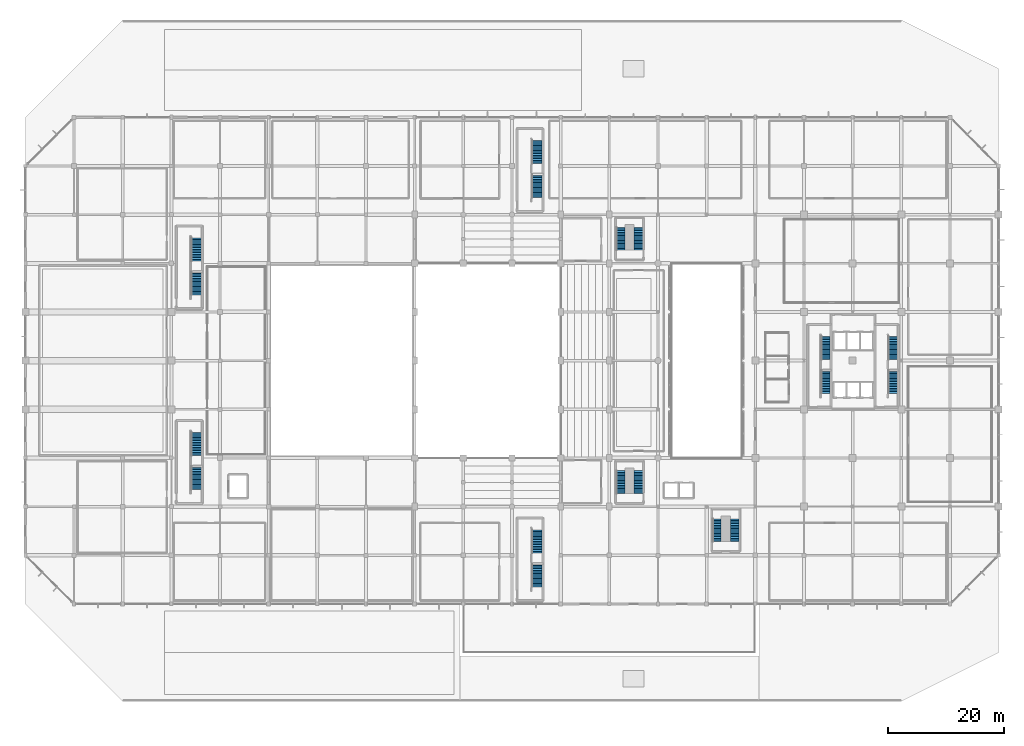
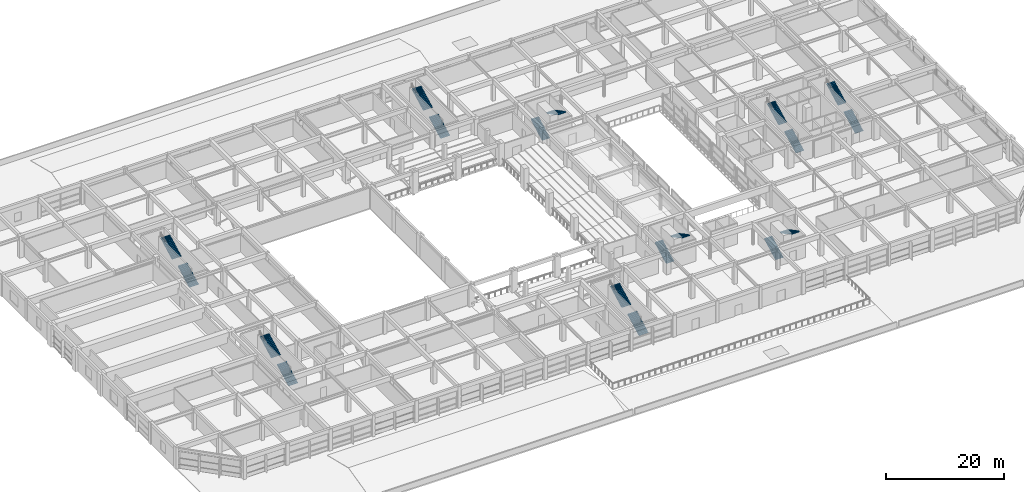
# One storey, part 51 of 60: 18 stair flights, 9 elements without a shape of their own.
"""IFC4 building model written with IfcOpenShell, lengths in metres."""

from ifc_helpers import new_model, si_unit, direction, frame, origin, place, context, subcontext, project, spatial, polyline, outline, extrude, material, layer, layer_set, type_object, element, aggregate, save


model = new_model("IFC4")

# Units and contexts
model_context = context("Model", 3, precision=1e-05, world=origin(), true_north=direction((0.0, 1.0)))
body_context = subcontext(model_context, "Body", "Model", "MODEL_VIEW")
ifc_project = project(units=[si_unit("LENGTHUNIT", "METRE"), si_unit("AREAUNIT", "SQUARE_METRE"), si_unit("VOLUMEUNIT", "CUBIC_METRE"), si_unit("PLANEANGLEUNIT", "RADIAN"), si_unit("MASSUNIT", "GRAM", prefix="KILO")], contexts=[model_context])

# Site, building, storey
site_placement = place(None, origin())
site = spatial("IfcSite", under=ifc_project, at=site_placement, CompositionType="ELEMENT")
building_placement = place(site_placement, origin())
building = spatial("IfcBuilding", under=site, at=building_placement, Name="Xuanlan Plaza Opera House", CompositionType="ELEMENT")
storey_placement = place(building_placement, frame((0.0, 0.0, 9.89990234375)))
storey = spatial("IfcBuildingStorey", under=building, at=storey_placement, Name="L02", CompositionType="ELEMENT", Elevation=9.89990234375)

# Stair, stair flights
ifc_material = material(Name="Concrete C40", Category="concrete")
stair_type_1 = type_object("IfcStairType", Name="INT-ST-STR-F130", PredefinedType="HALF_TURN_STAIR", material=ifc_material)
stair_1_placement = place(storey_placement, origin())
stair_1 = element("IfcStair", 1, at=stair_1_placement, inside=storey, type_object=stair_type_1, Name="Grand Foyer Feature Stair ST-F1 L02", PredefinedType="HALF_TURN_STAIR")
ifc_layer_1 = layer(ifc_material, 0.159912109375)
ifc_layer_set_1 = layer_set([ifc_layer_1], Name="Concrete C40")
stair_flight_type_1 = type_object("IfcStairFlightType", Name="INT-FL-FL-130", PredefinedType="STRAIGHT", material=ifc_layer_set_1)
stair_flight_1_placement = place(storey_placement, frame((102.75, 35.8798828125, 0.0), z_axis=(0.0, 0.0, 1.0), x_axis=(0.0, 1.0, 0.0)))
stair_flight_1 = element("IfcStairFlight", 2, at=stair_flight_1_placement, type_object=stair_flight_type_1, Name="ST-F1-L02 flight 1", NumberOfRisers=15, NumberOfTreads=14, PredefinedType="STRAIGHT", RiserHeight=0.15, TreadLength=0.28, context=body_context, shape_type="SweptSolid", body=[
    extrude(outline(polyline([(0.0, 0.0), (0.0, 0.14990234375), (0.280029296875, 0.14990234375), (0.280029296875, 0.300048828125), (0.56005859375, 0.300048828125), (0.56005859375, 0.449951171875), (0.840087890625, 0.449951171875), (0.840087890625, 0.60009765625), (1.1201171875, 0.60009765625), (1.1201171875, 0.75), (1.39990234375, 0.75), (1.39990234375, 0.89990234375), (1.679931640625, 0.89990234375), (1.679931640625, 1.050048828125), (1.9599609375, 1.050048828125), (1.9599609375, 1.199951171875), (2.239990234375, 1.199951171875), (2.239990234375, 1.35009765625), (2.52001953125, 1.35009765625), (2.52001953125, 1.5), (2.800048828125, 1.5), (2.800048828125, 1.64990234375), (3.080078125, 1.64990234375), (3.080078125, 1.800048828125), (3.360107421875, 1.800048828125), (3.360107421875, 1.949951171875), (3.639892578125, 1.949951171875), (3.639892578125, 2.10009765625), (3.919921875, 2.10009765625), (3.919921875, 2.25), (3.919921875, 1.918701171875), (0.338623046875, 0.0), (0.0, 0.0)])), frame((0.0, 0.75, 0.0), z_axis=(0.0, -1.0, 0.0), x_axis=(1.0, 0.0, 0.0)), (0.0, 0.0, 1.0), 1.5),
])
stair_flight_2_placement = place(storey_placement, frame((105.85009765625, 39.800048828125, 2.25), z_axis=(0.0, 0.0, 1.0), x_axis=(0.0, -1.0, 0.0)))
stair_flight_2 = element("IfcStairFlight", 3, at=stair_flight_2_placement, type_object=stair_flight_type_1, Name="ST-F1-L02 flight 2", NumberOfRisers=15, NumberOfTreads=14, PredefinedType="STRAIGHT", RiserHeight=0.15, TreadLength=0.28, context=body_context, shape_type="SweptSolid", body=[
    extrude(outline(polyline([(0.0, 0.0), (0.0, 0.14990234375), (0.280029296875, 0.14990234375), (0.280029296875, 0.300048828125), (0.56005859375, 0.300048828125), (0.56005859375, 0.449951171875), (0.840087890625, 0.449951171875), (0.840087890625, 0.60009765625), (1.1201171875, 0.60009765625), (1.1201171875, 0.75), (1.39990234375, 0.75), (1.39990234375, 0.89990234375), (1.679931640625, 0.89990234375), (1.679931640625, 1.050048828125), (1.9599609375, 1.050048828125), (1.9599609375, 1.199951171875), (2.239990234375, 1.199951171875), (2.239990234375, 1.35009765625), (2.52001953125, 1.35009765625), (2.52001953125, 1.5), (2.800048828125, 1.5), (2.800048828125, 1.64990234375), (3.080078125, 1.64990234375), (3.080078125, 1.800048828125), (3.360107421875, 1.800048828125), (3.360107421875, 1.949951171875), (3.639892578125, 1.949951171875), (3.639892578125, 2.10009765625), (3.919921875, 2.10009765625), (3.919921875, 2.25), (3.919921875, 1.918701171875), (0.338623046875, 0.0), (0.0, 0.0)])), frame((0.0, 0.75, 0.0), z_axis=(0.0, -1.0, 0.0), x_axis=(1.0, 0.0, 0.0)), (0.0, 0.0, 1.0), 1.5),
])
aggregate(stair_1, [stair_flight_1, stair_flight_2])

stair_2_placement = place(storey_placement, origin())
stair_2 = element("IfcStair", 4, at=stair_2_placement, inside=storey, type_object=stair_type_1, Name="Grand Foyer Feature Stair ST-F2 L02", PredefinedType="HALF_TURN_STAIR")
stair_flight_3_placement = place(storey_placement, frame((102.75, 77.8798828125, 0.0), z_axis=(0.0, 0.0, 1.0), x_axis=(0.0, 1.0, 0.0)))
stair_flight_3 = element("IfcStairFlight", 5, at=stair_flight_3_placement, type_object=stair_flight_type_1, Name="ST-F2-L02 flight 1", NumberOfRisers=15, NumberOfTreads=14, PredefinedType="STRAIGHT", RiserHeight=0.15, TreadLength=0.28, context=body_context, shape_type="SweptSolid", body=[
    extrude(outline(polyline([(0.0, 0.0), (0.0, 0.14990234375), (0.280029296875, 0.14990234375), (0.280029296875, 0.300048828125), (0.56005859375, 0.300048828125), (0.56005859375, 0.449951171875), (0.840087890625, 0.449951171875), (0.840087890625, 0.60009765625), (1.1201171875, 0.60009765625), (1.1201171875, 0.75), (1.39990234375, 0.75), (1.39990234375, 0.89990234375), (1.679931640625, 0.89990234375), (1.679931640625, 1.050048828125), (1.9599609375, 1.050048828125), (1.9599609375, 1.199951171875), (2.239990234375, 1.199951171875), (2.239990234375, 1.35009765625), (2.52001953125, 1.35009765625), (2.52001953125, 1.5), (2.800048828125, 1.5), (2.800048828125, 1.64990234375), (3.080078125, 1.64990234375), (3.080078125, 1.800048828125), (3.360107421875, 1.800048828125), (3.360107421875, 1.949951171875), (3.639892578125, 1.949951171875), (3.639892578125, 2.10009765625), (3.919921875, 2.10009765625), (3.919921875, 2.25), (3.919921875, 1.918701171875), (0.338623046875, 0.0), (0.0, 0.0)])), frame((0.0, 0.75, 0.0), z_axis=(0.0, -1.0, 0.0), x_axis=(1.0, 0.0, 0.0)), (0.0, 0.0, 1.0), 1.5),
])
stair_flight_4_placement = place(storey_placement, frame((105.85009765625, 81.800048828125, 2.25), z_axis=(0.0, 0.0, 1.0), x_axis=(0.0, -1.0, 0.0)))
stair_flight_4 = element("IfcStairFlight", 6, at=stair_flight_4_placement, type_object=stair_flight_type_1, Name="ST-F2-L02 flight 2", NumberOfRisers=15, NumberOfTreads=14, PredefinedType="STRAIGHT", RiserHeight=0.15, TreadLength=0.28, context=body_context, shape_type="SweptSolid", body=[
    extrude(outline(polyline([(0.0, 0.0), (0.0, 0.14990234375), (0.280029296875, 0.14990234375), (0.280029296875, 0.300048828125), (0.56005859375, 0.300048828125), (0.56005859375, 0.449951171875), (0.840087890625, 0.449951171875), (0.840087890625, 0.60009765625), (1.1201171875, 0.60009765625), (1.1201171875, 0.75), (1.39990234375, 0.75), (1.39990234375, 0.89990234375), (1.679931640625, 0.89990234375), (1.679931640625, 1.050048828125), (1.9599609375, 1.050048828125), (1.9599609375, 1.199951171875), (2.239990234375, 1.199951171875), (2.239990234375, 1.35009765625), (2.52001953125, 1.35009765625), (2.52001953125, 1.5), (2.800048828125, 1.5), (2.800048828125, 1.64990234375), (3.080078125, 1.64990234375), (3.080078125, 1.800048828125), (3.360107421875, 1.800048828125), (3.360107421875, 1.949951171875), (3.639892578125, 1.949951171875), (3.639892578125, 2.10009765625), (3.919921875, 2.10009765625), (3.919921875, 2.25), (3.919921875, 1.918701171875), (0.338623046875, 0.0), (0.0, 0.0)])), frame((0.0, 0.75, 0.0), z_axis=(0.0, -1.0, 0.0), x_axis=(1.0, 0.0, 0.0)), (0.0, 0.0, 1.0), 1.5),
])
aggregate(stair_2, [stair_flight_3, stair_flight_4])

stair_type_2 = type_object("IfcStairType", Name="INT-ST-STR-F135", PredefinedType="HALF_TURN_STAIR", material=ifc_material)
stair_3_placement = place(storey_placement, origin())
stair_3 = element("IfcStair", 7, at=stair_3_placement, inside=storey, type_object=stair_type_2, Name="Grand Foyer Feature Stair ST-F3 L02", PredefinedType="HALF_TURN_STAIR")
stair_flight_5_placement = place(storey_placement, frame((119.35009765625, 27.580078125, 0.0), z_axis=(0.0, 0.0, 1.0), x_axis=(0.0, 1.0, 0.0)))
stair_flight_5 = element("IfcStairFlight", 8, at=stair_flight_5_placement, type_object=stair_flight_type_1, Name="ST-F3-L02 flight 1", NumberOfRisers=15, NumberOfTreads=14, PredefinedType="STRAIGHT", RiserHeight=0.15, TreadLength=0.28, context=body_context, shape_type="SweptSolid", body=[
    extrude(outline(polyline([(0.0, 0.0), (0.0, 0.14990234375), (0.280029296875, 0.14990234375), (0.280029296875, 0.300048828125), (0.56005859375, 0.300048828125), (0.56005859375, 0.449951171875), (0.840087890625, 0.449951171875), (0.840087890625, 0.60009765625), (1.1201171875, 0.60009765625), (1.1201171875, 0.75), (1.39990234375, 0.75), (1.39990234375, 0.89990234375), (1.679931640625, 0.89990234375), (1.679931640625, 1.050048828125), (1.9599609375, 1.050048828125), (1.9599609375, 1.199951171875), (2.239990234375, 1.199951171875), (2.239990234375, 1.35009765625), (2.52001953125, 1.35009765625), (2.52001953125, 1.5), (2.800048828125, 1.5), (2.800048828125, 1.64990234375), (3.080078125, 1.64990234375), (3.080078125, 1.800048828125), (3.360107421875, 1.800048828125), (3.360107421875, 1.949951171875), (3.639892578125, 1.949951171875), (3.639892578125, 2.10009765625), (3.919921875, 2.10009765625), (3.919921875, 2.25), (3.919921875, 1.918701171875), (0.338623046875, 0.0), (0.0, 0.0)])), frame((0.0, 0.75, 0.0), z_axis=(0.0, -1.0, 0.0), x_axis=(1.0, 0.0, 0.0)), (0.0, 0.0, 1.0), 1.5),
])
stair_flight_6_placement = place(storey_placement, frame((122.449951171875, 31.5, 2.25), z_axis=(0.0, 0.0, 1.0), x_axis=(0.0, -1.0, 0.0)))
stair_flight_6 = element("IfcStairFlight", 9, at=stair_flight_6_placement, type_object=stair_flight_type_1, Name="ST-F3-L02 flight 2", NumberOfRisers=15, NumberOfTreads=14, PredefinedType="STRAIGHT", RiserHeight=0.15, TreadLength=0.28, context=body_context, shape_type="SweptSolid", body=[
    extrude(outline(polyline([(0.0, 0.0), (0.0, 0.14990234375), (0.280029296875, 0.14990234375), (0.280029296875, 0.300048828125), (0.56005859375, 0.300048828125), (0.56005859375, 0.449951171875), (0.840087890625, 0.449951171875), (0.840087890625, 0.60009765625), (1.1201171875, 0.60009765625), (1.1201171875, 0.75), (1.39990234375, 0.75), (1.39990234375, 0.89990234375), (1.679931640625, 0.89990234375), (1.679931640625, 1.050048828125), (1.9599609375, 1.050048828125), (1.9599609375, 1.199951171875), (2.239990234375, 1.199951171875), (2.239990234375, 1.35009765625), (2.52001953125, 1.35009765625), (2.52001953125, 1.5), (2.800048828125, 1.5), (2.800048828125, 1.64990234375), (3.080078125, 1.64990234375), (3.080078125, 1.800048828125), (3.360107421875, 1.800048828125), (3.360107421875, 1.949951171875), (3.639892578125, 1.949951171875), (3.639892578125, 2.10009765625), (3.919921875, 2.10009765625), (3.919921875, 2.25), (3.919921875, 1.918701171875), (0.338623046875, 0.0), (0.0, 0.0)])), frame((0.0, 0.75, 0.0), z_axis=(0.0, -1.0, 0.0), x_axis=(1.0, 0.0, 0.0)), (0.0, 0.0, 1.0), 1.5),
])
aggregate(stair_3, [stair_flight_5, stair_flight_6])

stair_type_3 = type_object("IfcStairType", Name="INT-ST-STR-T155", PredefinedType="STRAIGHT_RUN_STAIR", material=ifc_material)
stair_4_placement = place(storey_placement, origin())
stair_4 = element("IfcStair", 10, at=stair_4_placement, inside=storey, type_object=stair_type_3, Name="Protected Exit Stair ST-T1 L02", PredefinedType="STRAIGHT_RUN_STAIR")
ifc_layer_2 = layer(ifc_material, 0.159912109375)
ifc_layer_set_2 = layer_set([ifc_layer_2], Name="Concrete C40")
stair_flight_type_2 = type_object("IfcStairFlightType", Name="INT-FL-FL-155", PredefinedType="STRAIGHT", material=ifc_layer_set_2)
stair_flight_7_placement = place(storey_placement, frame((138.125, 53.169921875, 0.0), z_axis=(0.0, 0.0, 1.0), x_axis=(0.0, 1.0, 0.0)))
stair_flight_7 = element("IfcStairFlight", 11, at=stair_flight_7_placement, type_object=stair_flight_type_2, Name="ST-T1-L02 flight 1", NumberOfRisers=15, NumberOfTreads=14, PredefinedType="STRAIGHT", RiserHeight=0.15, TreadLength=0.285, context=body_context, shape_type="SweptSolid", body=[
    extrude(outline(polyline([(0.0, 0.0), (0.0, 0.14990234375), (0.284912109375, 0.14990234375), (0.284912109375, 0.300048828125), (0.570068359375, 0.300048828125), (0.570068359375, 0.449951171875), (0.85498046875, 0.449951171875), (0.85498046875, 0.60009765625), (1.139892578125, 0.60009765625), (1.139892578125, 0.75), (1.425048828125, 0.75), (1.425048828125, 0.89990234375), (1.7099609375, 0.89990234375), (1.7099609375, 1.050048828125), (1.9951171875, 1.050048828125), (1.9951171875, 1.199951171875), (2.280029296875, 1.199951171875), (2.280029296875, 1.35009765625), (2.56494140625, 1.35009765625), (2.56494140625, 1.5), (2.85009765625, 1.5), (2.85009765625, 1.64990234375), (3.135009765625, 1.64990234375), (3.135009765625, 1.800048828125), (3.419921875, 1.800048828125), (3.419921875, 1.949951171875), (3.705078125, 1.949951171875), (3.705078125, 2.10009765625), (3.989990234375, 2.10009765625), (3.989990234375, 2.25), (3.989990234375, 1.919189453125), (0.34326171875, 0.0), (0.0, 0.0)])), frame((0.0, 0.77490234375, 0.0), z_axis=(0.0, -1.0, 0.0), x_axis=(1.0, 0.0, 0.0)), (0.0, 0.0, 1.0), 1.550048828125),
])
stair_flight_8_placement = place(storey_placement, frame((138.125, 59.010009765625, 2.25), z_axis=(0.0, 0.0, 1.0), x_axis=(0.0, 1.0, 0.0)))
stair_flight_8 = element("IfcStairFlight", 12, at=stair_flight_8_placement, type_object=stair_flight_type_2, Name="ST-T1-L02 flight 2", NumberOfRisers=15, NumberOfTreads=14, PredefinedType="STRAIGHT", RiserHeight=0.15, TreadLength=0.285, context=body_context, shape_type="SweptSolid", body=[
    extrude(outline(polyline([(0.0, 0.0), (0.0, 0.14990234375), (0.284912109375, 0.14990234375), (0.284912109375, 0.300048828125), (0.570068359375, 0.300048828125), (0.570068359375, 0.449951171875), (0.85498046875, 0.449951171875), (0.85498046875, 0.60009765625), (1.139892578125, 0.60009765625), (1.139892578125, 0.75), (1.425048828125, 0.75), (1.425048828125, 0.89990234375), (1.7099609375, 0.89990234375), (1.7099609375, 1.050048828125), (1.9951171875, 1.050048828125), (1.9951171875, 1.199951171875), (2.280029296875, 1.199951171875), (2.280029296875, 1.35009765625), (2.56494140625, 1.35009765625), (2.56494140625, 1.5), (2.85009765625, 1.5), (2.85009765625, 1.64990234375), (3.135009765625, 1.64990234375), (3.135009765625, 1.800048828125), (3.419921875, 1.800048828125), (3.419921875, 1.949951171875), (3.705078125, 1.949951171875), (3.705078125, 2.10009765625), (3.989990234375, 2.10009765625), (3.989990234375, 2.25), (3.989990234375, 1.919189453125), (0.34326171875, 0.0), (0.0, 0.0)])), frame((0.0, 0.77490234375, 0.0), z_axis=(0.0, -1.0, 0.0), x_axis=(1.0, 0.0, 0.0)), (0.0, 0.0, 1.0), 1.550048828125),
])
aggregate(stair_4, [stair_flight_7, stair_flight_8])

stair_5_placement = place(storey_placement, origin())
stair_5 = element("IfcStair", 13, at=stair_5_placement, inside=storey, type_object=stair_type_3, Name="Protected Exit Stair ST-T2 L02", PredefinedType="STRAIGHT_RUN_STAIR")
stair_flight_9_placement = place(storey_placement, frame((149.72509765625, 53.169921875, 0.0), z_axis=(0.0, 0.0, 1.0), x_axis=(0.0, 1.0, 0.0)))
stair_flight_9 = element("IfcStairFlight", 14, at=stair_flight_9_placement, type_object=stair_flight_type_2, Name="ST-T2-L02 flight 1", NumberOfRisers=15, NumberOfTreads=14, PredefinedType="STRAIGHT", RiserHeight=0.15, TreadLength=0.285, context=body_context, shape_type="SweptSolid", body=[
    extrude(outline(polyline([(0.0, 0.0), (0.0, 0.14990234375), (0.284912109375, 0.14990234375), (0.284912109375, 0.300048828125), (0.570068359375, 0.300048828125), (0.570068359375, 0.449951171875), (0.85498046875, 0.449951171875), (0.85498046875, 0.60009765625), (1.139892578125, 0.60009765625), (1.139892578125, 0.75), (1.425048828125, 0.75), (1.425048828125, 0.89990234375), (1.7099609375, 0.89990234375), (1.7099609375, 1.050048828125), (1.9951171875, 1.050048828125), (1.9951171875, 1.199951171875), (2.280029296875, 1.199951171875), (2.280029296875, 1.35009765625), (2.56494140625, 1.35009765625), (2.56494140625, 1.5), (2.85009765625, 1.5), (2.85009765625, 1.64990234375), (3.135009765625, 1.64990234375), (3.135009765625, 1.800048828125), (3.419921875, 1.800048828125), (3.419921875, 1.949951171875), (3.705078125, 1.949951171875), (3.705078125, 2.10009765625), (3.989990234375, 2.10009765625), (3.989990234375, 2.25), (3.989990234375, 1.919189453125), (0.34326171875, 0.0), (0.0, 0.0)])), frame((0.0, 0.77490234375, 0.0), z_axis=(0.0, -1.0, 0.0), x_axis=(1.0, 0.0, 0.0)), (0.0, 0.0, 1.0), 1.550048828125),
])
stair_flight_10_placement = place(storey_placement, frame((149.72509765625, 59.010009765625, 2.25), z_axis=(0.0, 0.0, 1.0), x_axis=(0.0, 1.0, 0.0)))
stair_flight_10 = element("IfcStairFlight", 15, at=stair_flight_10_placement, type_object=stair_flight_type_2, Name="ST-T2-L02 flight 2", NumberOfRisers=15, NumberOfTreads=14, PredefinedType="STRAIGHT", RiserHeight=0.15, TreadLength=0.285, context=body_context, shape_type="SweptSolid", body=[
    extrude(outline(polyline([(0.0, 0.0), (0.0, 0.14990234375), (0.284912109375, 0.14990234375), (0.284912109375, 0.300048828125), (0.570068359375, 0.300048828125), (0.570068359375, 0.449951171875), (0.85498046875, 0.449951171875), (0.85498046875, 0.60009765625), (1.139892578125, 0.60009765625), (1.139892578125, 0.75), (1.425048828125, 0.75), (1.425048828125, 0.89990234375), (1.7099609375, 0.89990234375), (1.7099609375, 1.050048828125), (1.9951171875, 1.050048828125), (1.9951171875, 1.199951171875), (2.280029296875, 1.199951171875), (2.280029296875, 1.35009765625), (2.56494140625, 1.35009765625), (2.56494140625, 1.5), (2.85009765625, 1.5), (2.85009765625, 1.64990234375), (3.135009765625, 1.64990234375), (3.135009765625, 1.800048828125), (3.419921875, 1.800048828125), (3.419921875, 1.949951171875), (3.705078125, 1.949951171875), (3.705078125, 2.10009765625), (3.989990234375, 2.10009765625), (3.989990234375, 2.25), (3.989990234375, 1.919189453125), (0.34326171875, 0.0), (0.0, 0.0)])), frame((0.0, 0.77490234375, 0.0), z_axis=(0.0, -1.0, 0.0), x_axis=(1.0, 0.0, 0.0)), (0.0, 0.0, 1.0), 1.550048828125),
])
aggregate(stair_5, [stair_flight_9, stair_flight_10])

stair_type_4 = type_object("IfcStairType", Name="INT-ST-STR-P180", PredefinedType="STRAIGHT_RUN_STAIR", material=ifc_material)
stair_6_placement = place(storey_placement, origin())
stair_6 = element("IfcStair", 16, at=stair_6_placement, inside=storey, type_object=stair_type_4, Name="Protected Exit Stair ST-P1 L02", PredefinedType="STRAIGHT_RUN_STAIR")
ifc_layer_3 = layer(ifc_material, 0.179931640625)
ifc_layer_set_3 = layer_set([ifc_layer_3], Name="Concrete C40")
stair_flight_type_3 = type_object("IfcStairFlightType", Name="INT-FL-FL-180", PredefinedType="STRAIGHT", material=ifc_layer_set_3)
stair_flight_11_placement = place(storey_placement, frame((29.5, 36.570068359375, 0.0), z_axis=(0.0, 0.0, 1.0), x_axis=(0.0, 1.0, 0.0)))
stair_flight_11 = element("IfcStairFlight", 17, at=stair_flight_11_placement, type_object=stair_flight_type_3, Name="ST-P1-L02 flight 1", NumberOfRisers=15, NumberOfTreads=14, PredefinedType="STRAIGHT", RiserHeight=0.15, TreadLength=0.285, context=body_context, shape_type="SweptSolid", body=[
    extrude(outline(polyline([(0.0, 0.0), (0.0, 0.14990234375), (0.284912109375, 0.14990234375), (0.284912109375, 0.300048828125), (0.570068359375, 0.300048828125), (0.570068359375, 0.449951171875), (0.85498046875, 0.449951171875), (0.85498046875, 0.60009765625), (1.139892578125, 0.60009765625), (1.139892578125, 0.75), (1.425048828125, 0.75), (1.425048828125, 0.89990234375), (1.7099609375, 0.89990234375), (1.7099609375, 1.050048828125), (1.9951171875, 1.050048828125), (1.9951171875, 1.199951171875), (2.280029296875, 1.199951171875), (2.280029296875, 1.35009765625), (2.56494140625, 1.35009765625), (2.56494140625, 1.5), (2.85009765625, 1.5), (2.85009765625, 1.64990234375), (3.135009765625, 1.64990234375), (3.135009765625, 1.800048828125), (3.419921875, 1.800048828125), (3.419921875, 1.949951171875), (3.705078125, 1.949951171875), (3.705078125, 2.10009765625), (3.989990234375, 2.10009765625), (3.989990234375, 2.25), (3.989990234375, 1.919189453125), (0.34326171875, 0.0), (0.0, 0.0)])), frame((0.0, 0.89990234375, 0.0), z_axis=(0.0, -1.0, 0.0), x_axis=(1.0, 0.0, 0.0)), (0.0, 0.0, 1.0), 1.800048828125),
])
stair_flight_12_placement = place(storey_placement, frame((29.5, 42.409912109375, 2.25), z_axis=(0.0, 0.0, 1.0), x_axis=(0.0, 1.0, 0.0)))
stair_flight_12 = element("IfcStairFlight", 18, at=stair_flight_12_placement, type_object=stair_flight_type_3, Name="ST-P1-L02 flight 2", NumberOfRisers=15, NumberOfTreads=14, PredefinedType="STRAIGHT", RiserHeight=0.15, TreadLength=0.285, context=body_context, shape_type="SweptSolid", body=[
    extrude(outline(polyline([(0.0, 0.0), (0.0, 0.14990234375), (0.284912109375, 0.14990234375), (0.284912109375, 0.300048828125), (0.570068359375, 0.300048828125), (0.570068359375, 0.449951171875), (0.85498046875, 0.449951171875), (0.85498046875, 0.60009765625), (1.139892578125, 0.60009765625), (1.139892578125, 0.75), (1.425048828125, 0.75), (1.425048828125, 0.89990234375), (1.7099609375, 0.89990234375), (1.7099609375, 1.050048828125), (1.9951171875, 1.050048828125), (1.9951171875, 1.199951171875), (2.280029296875, 1.199951171875), (2.280029296875, 1.35009765625), (2.56494140625, 1.35009765625), (2.56494140625, 1.5), (2.85009765625, 1.5), (2.85009765625, 1.64990234375), (3.135009765625, 1.64990234375), (3.135009765625, 1.800048828125), (3.419921875, 1.800048828125), (3.419921875, 1.949951171875), (3.705078125, 1.949951171875), (3.705078125, 2.10009765625), (3.989990234375, 2.10009765625), (3.989990234375, 2.25), (3.989990234375, 1.919189453125), (0.34326171875, 0.0), (0.0, 0.0)])), frame((0.0, 0.89990234375, 0.0), z_axis=(0.0, -1.0, 0.0), x_axis=(1.0, 0.0, 0.0)), (0.0, 0.0, 1.0), 1.800048828125),
])
aggregate(stair_6, [stair_flight_11, stair_flight_12])

stair_7_placement = place(storey_placement, origin())
stair_7 = element("IfcStair", 19, at=stair_7_placement, inside=storey, type_object=stair_type_4, Name="Protected Exit Stair ST-P2 L02", PredefinedType="STRAIGHT_RUN_STAIR")
stair_flight_13_placement = place(storey_placement, frame((29.5, 70.169921875, 0.0), z_axis=(0.0, 0.0, 1.0), x_axis=(0.0, 1.0, 0.0)))
stair_flight_13 = element("IfcStairFlight", 20, at=stair_flight_13_placement, type_object=stair_flight_type_3, Name="ST-P2-L02 flight 1", NumberOfRisers=15, NumberOfTreads=14, PredefinedType="STRAIGHT", RiserHeight=0.15, TreadLength=0.285, context=body_context, shape_type="SweptSolid", body=[
    extrude(outline(polyline([(0.0, 0.0), (0.0, 0.14990234375), (0.284912109375, 0.14990234375), (0.284912109375, 0.300048828125), (0.570068359375, 0.300048828125), (0.570068359375, 0.449951171875), (0.85498046875, 0.449951171875), (0.85498046875, 0.60009765625), (1.139892578125, 0.60009765625), (1.139892578125, 0.75), (1.425048828125, 0.75), (1.425048828125, 0.89990234375), (1.7099609375, 0.89990234375), (1.7099609375, 1.050048828125), (1.9951171875, 1.050048828125), (1.9951171875, 1.199951171875), (2.280029296875, 1.199951171875), (2.280029296875, 1.35009765625), (2.56494140625, 1.35009765625), (2.56494140625, 1.5), (2.85009765625, 1.5), (2.85009765625, 1.64990234375), (3.135009765625, 1.64990234375), (3.135009765625, 1.800048828125), (3.419921875, 1.800048828125), (3.419921875, 1.949951171875), (3.705078125, 1.949951171875), (3.705078125, 2.10009765625), (3.989990234375, 2.10009765625), (3.989990234375, 2.25), (3.989990234375, 1.919189453125), (0.34326171875, 0.0), (0.0, 0.0)])), frame((0.0, 0.89990234375, 0.0), z_axis=(0.0, -1.0, 0.0), x_axis=(1.0, 0.0, 0.0)), (0.0, 0.0, 1.0), 1.800048828125),
])
stair_flight_14_placement = place(storey_placement, frame((29.5, 76.010009765625, 2.25), z_axis=(0.0, 0.0, 1.0), x_axis=(0.0, 1.0, 0.0)))
stair_flight_14 = element("IfcStairFlight", 21, at=stair_flight_14_placement, type_object=stair_flight_type_3, Name="ST-P2-L02 flight 2", NumberOfRisers=15, NumberOfTreads=14, PredefinedType="STRAIGHT", RiserHeight=0.15, TreadLength=0.285, context=body_context, shape_type="SweptSolid", body=[
    extrude(outline(polyline([(0.0, 0.0), (0.0, 0.14990234375), (0.284912109375, 0.14990234375), (0.284912109375, 0.300048828125), (0.570068359375, 0.300048828125), (0.570068359375, 0.449951171875), (0.85498046875, 0.449951171875), (0.85498046875, 0.60009765625), (1.139892578125, 0.60009765625), (1.139892578125, 0.75), (1.425048828125, 0.75), (1.425048828125, 0.89990234375), (1.7099609375, 0.89990234375), (1.7099609375, 1.050048828125), (1.9951171875, 1.050048828125), (1.9951171875, 1.199951171875), (2.280029296875, 1.199951171875), (2.280029296875, 1.35009765625), (2.56494140625, 1.35009765625), (2.56494140625, 1.5), (2.85009765625, 1.5), (2.85009765625, 1.64990234375), (3.135009765625, 1.64990234375), (3.135009765625, 1.800048828125), (3.419921875, 1.800048828125), (3.419921875, 1.949951171875), (3.705078125, 1.949951171875), (3.705078125, 2.10009765625), (3.989990234375, 2.10009765625), (3.989990234375, 2.25), (3.989990234375, 1.919189453125), (0.34326171875, 0.0), (0.0, 0.0)])), frame((0.0, 0.89990234375, 0.0), z_axis=(0.0, -1.0, 0.0), x_axis=(1.0, 0.0, 0.0)), (0.0, 0.0, 1.0), 1.800048828125),
])
aggregate(stair_7, [stair_flight_13, stair_flight_14])

stair_8_placement = place(storey_placement, origin())
stair_8 = element("IfcStair", 22, at=stair_8_placement, inside=storey, type_object=stair_type_4, Name="Protected Exit Stair ST-P3 L02", PredefinedType="STRAIGHT_RUN_STAIR")
stair_flight_15_placement = place(storey_placement, frame((88.300048828125, 19.77001953125, 0.0), z_axis=(0.0, 0.0, 1.0), x_axis=(0.0, 1.0, 0.0)))
stair_flight_15 = element("IfcStairFlight", 23, at=stair_flight_15_placement, type_object=stair_flight_type_3, Name="ST-P3-L02 flight 1", NumberOfRisers=15, NumberOfTreads=14, PredefinedType="STRAIGHT", RiserHeight=0.15, TreadLength=0.285, context=body_context, shape_type="SweptSolid", body=[
    extrude(outline(polyline([(0.0, 0.0), (0.0, 0.14990234375), (0.284912109375, 0.14990234375), (0.284912109375, 0.300048828125), (0.570068359375, 0.300048828125), (0.570068359375, 0.449951171875), (0.85498046875, 0.449951171875), (0.85498046875, 0.60009765625), (1.139892578125, 0.60009765625), (1.139892578125, 0.75), (1.425048828125, 0.75), (1.425048828125, 0.89990234375), (1.7099609375, 0.89990234375), (1.7099609375, 1.050048828125), (1.9951171875, 1.050048828125), (1.9951171875, 1.199951171875), (2.280029296875, 1.199951171875), (2.280029296875, 1.35009765625), (2.56494140625, 1.35009765625), (2.56494140625, 1.5), (2.85009765625, 1.5), (2.85009765625, 1.64990234375), (3.135009765625, 1.64990234375), (3.135009765625, 1.800048828125), (3.419921875, 1.800048828125), (3.419921875, 1.949951171875), (3.705078125, 1.949951171875), (3.705078125, 2.10009765625), (3.989990234375, 2.10009765625), (3.989990234375, 2.25), (3.989990234375, 1.919189453125), (0.34326171875, 0.0), (0.0, 0.0)])), frame((0.0, 0.89990234375, 0.0), z_axis=(0.0, -1.0, 0.0), x_axis=(1.0, 0.0, 0.0)), (0.0, 0.0, 1.0), 1.800048828125),
])
stair_flight_16_placement = place(storey_placement, frame((88.300048828125, 25.610107421875, 2.25), z_axis=(0.0, 0.0, 1.0), x_axis=(0.0, 1.0, 0.0)))
stair_flight_16 = element("IfcStairFlight", 24, at=stair_flight_16_placement, type_object=stair_flight_type_3, Name="ST-P3-L02 flight 2", NumberOfRisers=15, NumberOfTreads=14, PredefinedType="STRAIGHT", RiserHeight=0.15, TreadLength=0.285, context=body_context, shape_type="SweptSolid", body=[
    extrude(outline(polyline([(0.0, 0.0), (0.0, 0.14990234375), (0.284912109375, 0.14990234375), (0.284912109375, 0.300048828125), (0.570068359375, 0.300048828125), (0.570068359375, 0.449951171875), (0.85498046875, 0.449951171875), (0.85498046875, 0.60009765625), (1.139892578125, 0.60009765625), (1.139892578125, 0.75), (1.425048828125, 0.75), (1.425048828125, 0.89990234375), (1.7099609375, 0.89990234375), (1.7099609375, 1.050048828125), (1.9951171875, 1.050048828125), (1.9951171875, 1.199951171875), (2.280029296875, 1.199951171875), (2.280029296875, 1.35009765625), (2.56494140625, 1.35009765625), (2.56494140625, 1.5), (2.85009765625, 1.5), (2.85009765625, 1.64990234375), (3.135009765625, 1.64990234375), (3.135009765625, 1.800048828125), (3.419921875, 1.800048828125), (3.419921875, 1.949951171875), (3.705078125, 1.949951171875), (3.705078125, 2.10009765625), (3.989990234375, 2.10009765625), (3.989990234375, 2.25), (3.989990234375, 1.919189453125), (0.34326171875, 0.0), (0.0, 0.0)])), frame((0.0, 0.89990234375, 0.0), z_axis=(0.0, -1.0, 0.0), x_axis=(1.0, 0.0, 0.0)), (0.0, 0.0, 1.0), 1.800048828125),
])
aggregate(stair_8, [stair_flight_15, stair_flight_16])

stair_9_placement = place(storey_placement, origin())
stair_9 = element("IfcStair", 25, at=stair_9_placement, inside=storey, type_object=stair_type_4, Name="Protected Exit Stair ST-P4 L02", PredefinedType="STRAIGHT_RUN_STAIR")
stair_flight_17_placement = place(storey_placement, frame((88.300048828125, 86.969970703125, 0.0), z_axis=(0.0, 0.0, 1.0), x_axis=(0.0, 1.0, 0.0)))
stair_flight_17 = element("IfcStairFlight", 26, at=stair_flight_17_placement, type_object=stair_flight_type_3, Name="ST-P4-L02 flight 1", NumberOfRisers=15, NumberOfTreads=14, PredefinedType="STRAIGHT", RiserHeight=0.15, TreadLength=0.285, context=body_context, shape_type="SweptSolid", body=[
    extrude(outline(polyline([(0.0, 0.0), (0.0, 0.14990234375), (0.284912109375, 0.14990234375), (0.284912109375, 0.300048828125), (0.570068359375, 0.300048828125), (0.570068359375, 0.449951171875), (0.85498046875, 0.449951171875), (0.85498046875, 0.60009765625), (1.139892578125, 0.60009765625), (1.139892578125, 0.75), (1.425048828125, 0.75), (1.425048828125, 0.89990234375), (1.7099609375, 0.89990234375), (1.7099609375, 1.050048828125), (1.9951171875, 1.050048828125), (1.9951171875, 1.199951171875), (2.280029296875, 1.199951171875), (2.280029296875, 1.35009765625), (2.56494140625, 1.35009765625), (2.56494140625, 1.5), (2.85009765625, 1.5), (2.85009765625, 1.64990234375), (3.135009765625, 1.64990234375), (3.135009765625, 1.800048828125), (3.419921875, 1.800048828125), (3.419921875, 1.949951171875), (3.705078125, 1.949951171875), (3.705078125, 2.10009765625), (3.989990234375, 2.10009765625), (3.989990234375, 2.25), (3.989990234375, 1.919189453125), (0.34326171875, 0.0), (0.0, 0.0)])), frame((0.0, 0.89990234375, 0.0), z_axis=(0.0, -1.0, 0.0), x_axis=(1.0, 0.0, 0.0)), (0.0, 0.0, 1.0), 1.800048828125),
])
stair_flight_18_placement = place(storey_placement, frame((88.300048828125, 92.81005859375, 2.25), z_axis=(0.0, 0.0, 1.0), x_axis=(0.0, 1.0, 0.0)))
stair_flight_18 = element("IfcStairFlight", 27, at=stair_flight_18_placement, type_object=stair_flight_type_3, Name="ST-P4-L02 flight 2", NumberOfRisers=15, NumberOfTreads=14, PredefinedType="STRAIGHT", RiserHeight=0.15, TreadLength=0.285, context=body_context, shape_type="SweptSolid", body=[
    extrude(outline(polyline([(0.0, 0.0), (0.0, 0.14990234375), (0.284912109375, 0.14990234375), (0.284912109375, 0.300048828125), (0.570068359375, 0.300048828125), (0.570068359375, 0.449951171875), (0.85498046875, 0.449951171875), (0.85498046875, 0.60009765625), (1.139892578125, 0.60009765625), (1.139892578125, 0.75), (1.425048828125, 0.75), (1.425048828125, 0.89990234375), (1.7099609375, 0.89990234375), (1.7099609375, 1.050048828125), (1.9951171875, 1.050048828125), (1.9951171875, 1.199951171875), (2.280029296875, 1.199951171875), (2.280029296875, 1.35009765625), (2.56494140625, 1.35009765625), (2.56494140625, 1.5), (2.85009765625, 1.5), (2.85009765625, 1.64990234375), (3.135009765625, 1.64990234375), (3.135009765625, 1.800048828125), (3.419921875, 1.800048828125), (3.419921875, 1.949951171875), (3.705078125, 1.949951171875), (3.705078125, 2.10009765625), (3.989990234375, 2.10009765625), (3.989990234375, 2.25), (3.989990234375, 1.919189453125), (0.34326171875, 0.0), (0.0, 0.0)])), frame((0.0, 0.89990234375, 0.0), z_axis=(0.0, -1.0, 0.0), x_axis=(1.0, 0.0, 0.0)), (0.0, 0.0, 1.0), 1.800048828125),
])
aggregate(stair_9, [stair_flight_17, stair_flight_18])

save(model, "model.ifc")
